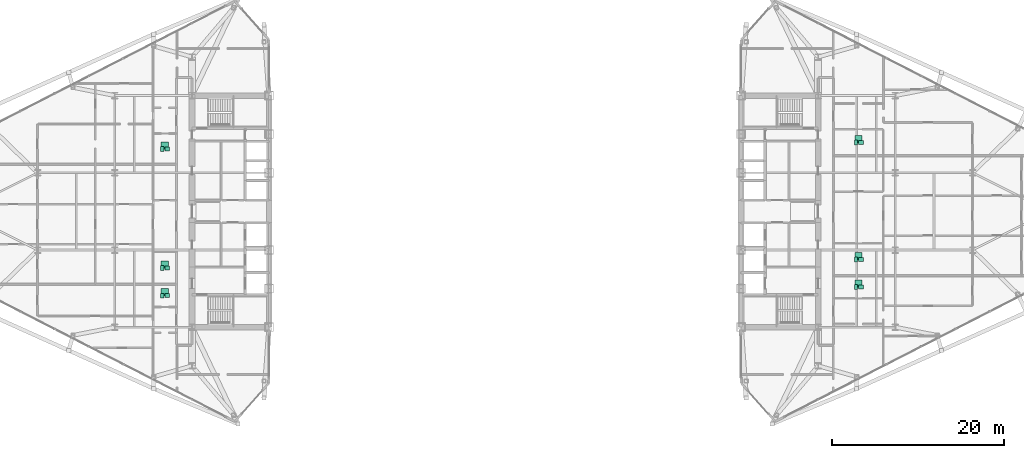
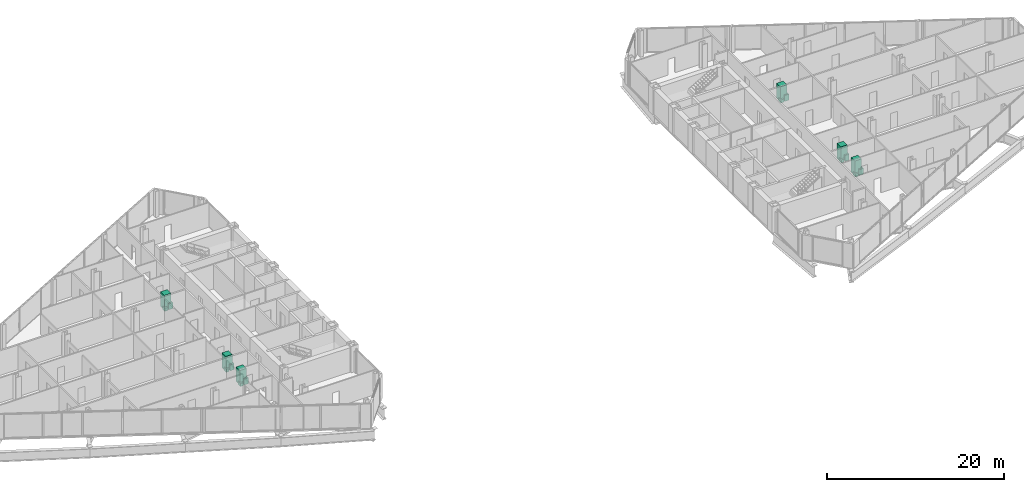
# One storey, part 28 of 28: 18 sanitary terminals.
"""IFC4 building model written with IfcOpenShell, lengths in metres."""

from ifc_helpers import new_model, si_unit, direction, frame, origin, origin_2d, place, context, subcontext, project, spatial, rectangle, extrude, source, transform, mapped, material, type_object, type_shapes, element, save


model = new_model("IFC4")

# Units and contexts
model_context = context("Model", 3, precision=1e-05, world=origin(), true_north=direction((0.0, 1.0)))
body_context = subcontext(model_context, "Body", "Model", "MODEL_VIEW")
ifc_project = project(units=[si_unit("LENGTHUNIT", "METRE"), si_unit("AREAUNIT", "SQUARE_METRE"), si_unit("VOLUMEUNIT", "CUBIC_METRE"), si_unit("PLANEANGLEUNIT", "RADIAN"), si_unit("MASSUNIT", "GRAM", prefix="KILO")], contexts=[model_context])

# Site, building, storey
site_placement = place(None, origin())
site = spatial("IfcSite", under=ifc_project, at=site_placement, CompositionType="ELEMENT")
building_placement = place(site_placement, origin())
building = spatial("IfcBuilding", under=site, at=building_placement, Name="Seokmaru Belvedere", CompositionType="ELEMENT")
storey_placement = place(building_placement, frame((0.0, 0.0, 110.39990234375)))
storey = spatial("IfcBuildingStorey", under=building, at=storey_placement, Name="L29", CompositionType="ELEMENT", Elevation=110.39990234375)

# Sanitary terminals
ifc_material_1 = material(Name="Vitreous China Sanitaryware")
sanitary_terminal_type_1 = type_object("IfcSanitaryTerminalType", Name="Wall-Hung Vitreous China WC Pan", PredefinedType="TOILETPAN", material=ifc_material_1)
shared_shape_1 = source(origin(), body_context, "Body", "SweptSolid", [
    extrude(rectangle(XDim=0.3798828125, YDim=0.56005859375, at=origin_2d()), origin(), (0.0, 0.0, 1.0), 0.419921875),
])
type_shapes(sanitary_terminal_type_1, [shared_shape_1])
for number, where, z_axis, x_axis, name in (
    (1, (-39.97509765625, -9.822021484375, 0.000244140625), (0.0, 0.0, 1.0), (1.0, 0.0, 0.0), "L29 Vitreous China WC 0164"),
    (2, (-39.97509765625, -6.611083984375, 0.000244140625), (0.0, 0.0, 1.0), (1.0, 0.0, 0.0), "L29 Vitreous China WC 0165"),
    (3, (-39.97509765625, 7.2890625, 0.000244140625), (0.0, 0.0, 1.0), (1.0, 0.0, 0.0), "L29 Vitreous China WC 0166"),
    (4, (40.89990234375, -8.822021484375, 0.000244140625), (0.0, 0.0, 1.0), (1.0, 0.0, 0.0), "L29 Vitreous China WC 0167"),
    (5, (40.89990234375, -5.611083984375, 0.000244140625), (0.0, 0.0, 1.0), (1.0, 0.0, 0.0), "L29 Vitreous China WC 0168"),
    (6, (40.89990234375, 8.0390625, 0.000244140625), (0.0, 0.0, 1.0), (1.0, 0.0, 0.0), "L29 Vitreous China WC 0169"),
):
    element("IfcSanitaryTerminal", number, at=place(storey_placement, frame(where, z_axis=z_axis, x_axis=x_axis)), inside=storey, type_object=sanitary_terminal_type_1, Name=name, PredefinedType="TOILETPAN", context=body_context, shape_type="MappedRepresentation", body=[
        mapped(shared_shape_1, transform((0.0, 0.0, 0.0), scale=1.0)),
    ])
sanitary_terminal_type_2 = type_object("IfcSanitaryTerminalType", Name="Countertop Ceramic Washhand Basin", PredefinedType="WASHHANDBASIN", material=ifc_material_1)
shared_shape_2 = source(origin(), body_context, "Body", "SweptSolid", [
    extrude(rectangle(XDim=0.550048828125, YDim=0.449951171875, at=origin_2d()), origin(), (0.0, 0.0, 1.0), 0.820068359375),
])
type_shapes(sanitary_terminal_type_2, [shared_shape_2])
for number, where, z_axis, x_axis, name in (
    (7, (-39.375, -9.822021484375, 0.0), (0.0, 0.0, 1.0), (1.0, 0.0, 0.0), "L29 Ceramic Washhand Basin 0164"),
    (8, (-39.375, -6.611083984375, 0.0), (0.0, 0.0, 1.0), (1.0, 0.0, 0.0), "L29 Ceramic Washhand Basin 0165"),
    (9, (-39.375, 7.2890625, 0.0), (0.0, 0.0, 1.0), (1.0, 0.0, 0.0), "L29 Ceramic Washhand Basin 0166"),
    (10, (41.5, -8.822021484375, 0.0), (0.0, 0.0, 1.0), (1.0, 0.0, 0.0), "L29 Ceramic Washhand Basin 0167"),
    (11, (41.5, -5.611083984375, 0.0), (0.0, 0.0, 1.0), (1.0, 0.0, 0.0), "L29 Ceramic Washhand Basin 0168"),
    (12, (41.5, 8.0390625, 0.0), (0.0, 0.0, 1.0), (1.0, 0.0, 0.0), "L29 Ceramic Washhand Basin 0169"),
):
    element("IfcSanitaryTerminal", number, at=place(storey_placement, frame(where, z_axis=z_axis, x_axis=x_axis)), inside=storey, type_object=sanitary_terminal_type_2, Name=name, PredefinedType="WASHHANDBASIN", context=body_context, shape_type="MappedRepresentation", body=[
        mapped(shared_shape_2, transform((0.0, 0.0, 0.0), scale=1.0)),
    ])
ifc_material_2 = material(Name="Stainless Steel 316", Category="steel")
sanitary_terminal_type_3 = type_object("IfcSanitaryTerminalType", Name="Walk-In Thermostatic Rain Shower Enclosure", PredefinedType="SHOWER", material=ifc_material_2)
shared_shape_3 = source(origin(), body_context, "Body", "SweptSolid", [
    extrude(rectangle(XDim=0.85009765625, YDim=0.85009765625, at=origin_2d()), origin(), (0.0, 0.0, 1.0), 2.050048828125),
])
type_shapes(sanitary_terminal_type_3, [shared_shape_3])
for number, where, z_axis, x_axis, name in (
    (13, (-39.675048828125, -9.44189453125, 0.0), (0.0, 0.0, 1.0), (1.0, 0.0, 0.0), "L29 Walk-In Shower 0164"),
    (14, (-39.675048828125, -6.23095703125, 0.0), (0.0, 0.0, 1.0), (1.0, 0.0, 0.0), "L29 Walk-In Shower 0165"),
    (15, (-39.675048828125, 7.6689453125, 0.0), (0.0, 0.0, 1.0), (1.0, 0.0, 0.0), "L29 Walk-In Shower 0166"),
    (16, (41.199951171875, -8.44189453125, 0.0), (0.0, 0.0, 1.0), (1.0, 0.0, 0.0), "L29 Walk-In Shower 0167"),
    (17, (41.199951171875, -5.23095703125, 0.0), (0.0, 0.0, 1.0), (1.0, 0.0, 0.0), "L29 Walk-In Shower 0168"),
    (18, (41.199951171875, 8.4189453125, 0.0), (0.0, 0.0, 1.0), (1.0, 0.0, 0.0), "L29 Walk-In Shower 0169"),
):
    element("IfcSanitaryTerminal", number, at=place(storey_placement, frame(where, z_axis=z_axis, x_axis=x_axis)), inside=storey, type_object=sanitary_terminal_type_3, Name=name, PredefinedType="SHOWER", context=body_context, shape_type="MappedRepresentation", body=[
        mapped(shared_shape_3, transform((0.0, 0.0, 0.0), scale=1.0)),
    ])

save(model, "model.ifc")
